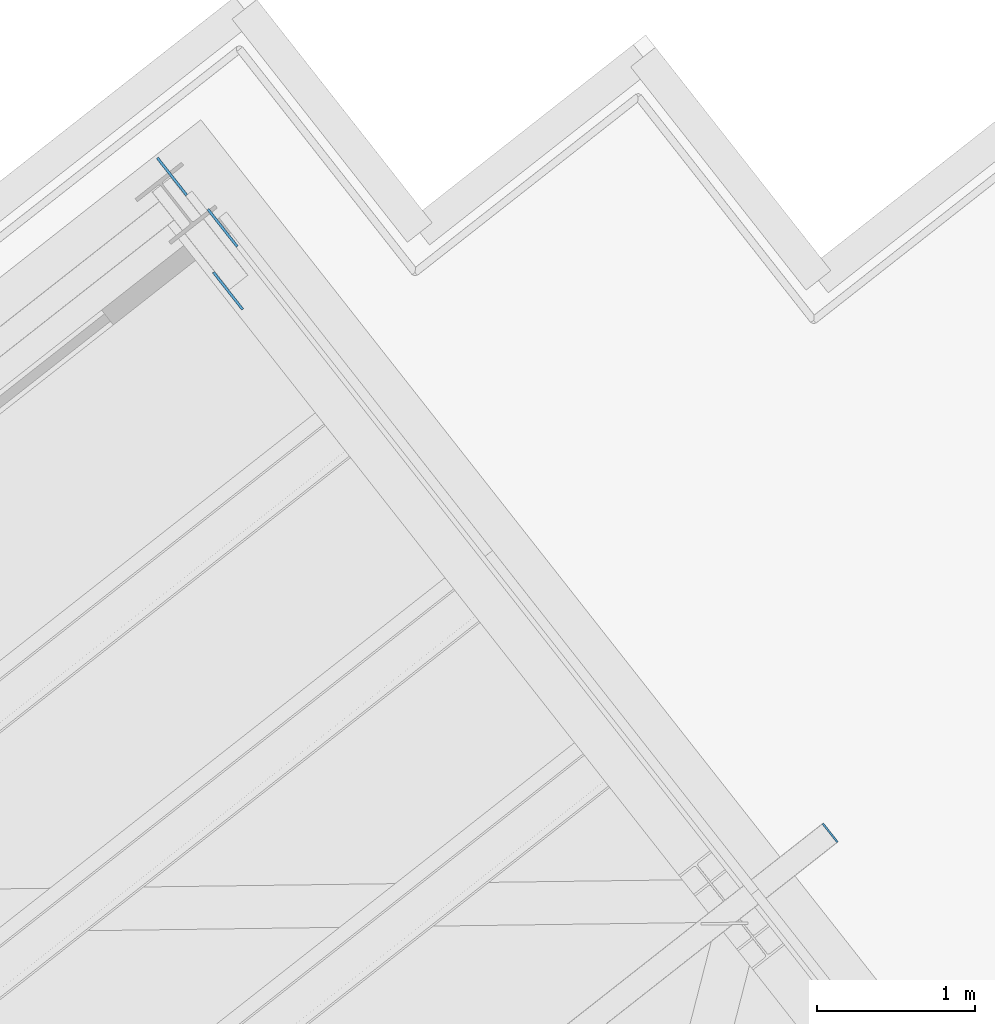
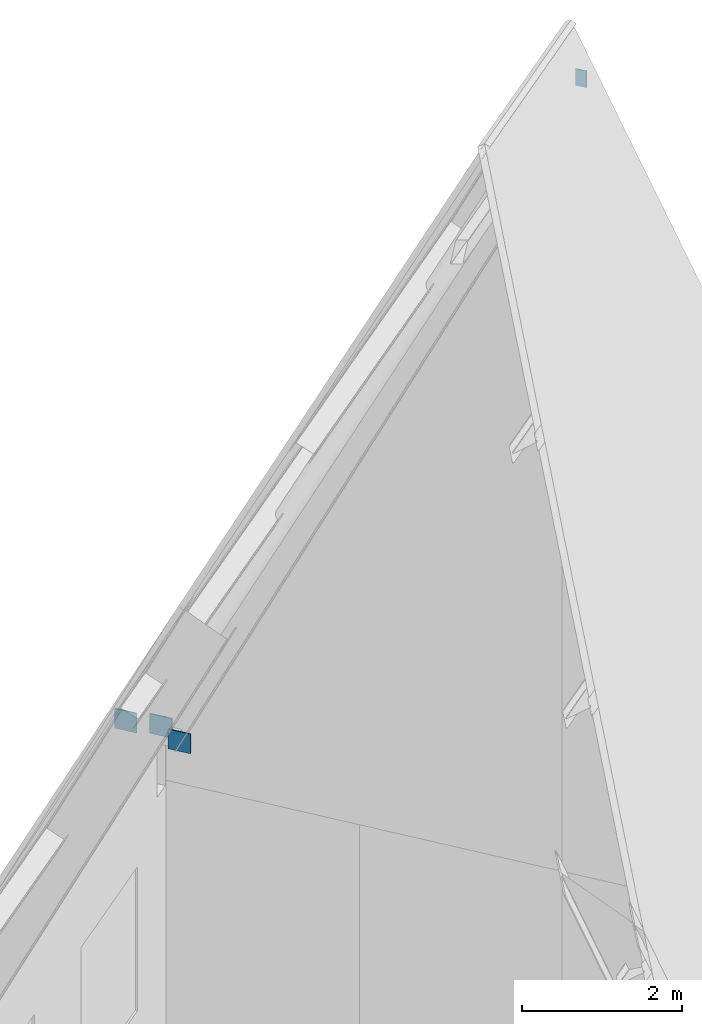
# One storey, part 29 of 32: 4 discrete accessories.
"""IFC4 building model written with IfcOpenShell, lengths in metres."""

import ifcopenshell
import ifcopenshell.guid

model = None  # the IFC model being written
_history = None  # IfcOwnerHistory: only IFC2X3 demands one
_inside = {}  # id of a spatial element -> (the spatial element, [elements in it])
_under = {}  # id of a project, library or spatial element -> (it, [spatial elements below it])
_declared = {}  # id of a project -> (the project, [libraries it declares])
_typed = {}  # id of a type object -> (the type object, [elements of that type])
_made_of = {}  # id of a material, layer set ... -> (it, [elements and type objects made of it])


def new_model(schema):
    """Start an empty IFC model of exactly this schema.

    Asked for "IFC4X3", IfcOpenShell would pick the latest addendum, in which some entities
    have other attributes; the version numbers below select the first issue.
    IFC2X3 requires an IfcOwnerHistory on every rooted entity: one is made here for all.
    """
    global model, _history
    if schema == "IFC4X3":
        model = ifcopenshell.file(schema_version=(4, 3, 0, 0))
    else:
        model = ifcopenshell.file(schema=schema)
    _inside.clear()
    _under.clear()
    _declared.clear()
    _typed.clear()
    _made_of.clear()
    _history = None
    if model.schema == "IFC2X3":
        org = make("IfcOrganization", Name="unknown")
        user = make(
            "IfcPersonAndOrganization",
            ThePerson=make("IfcPerson", FamilyName="unknown"),
            TheOrganization=org,
        )
        app = make(
            "IfcApplication",
            ApplicationDeveloper=org,
            Version="unknown",
            ApplicationFullName="unknown",
            ApplicationIdentifier="unknown",
        )
        _history = make(
            "IfcOwnerHistory",
            OwningUser=user,
            OwningApplication=app,
            ChangeAction="ADDED",
            CreationDate=0,
        )
    return model


def make(cls, **values):
    """One entity of the class cls with the attributes given. An attribute that is None is left unset."""
    return model.create_entity(
        cls, **{name: value for name, value in values.items() if value is not None}
    )


def rooted(cls, **values):
    """An entity with a GlobalId (a new one), such as an element, a storey or a relation."""
    return make(cls, GlobalId=ifcopenshell.guid.new(), OwnerHistory=_history, **values)


def si_unit(unit_type, name, prefix=None):
    """IfcSIUnit, for example si_unit("LENGTHUNIT", "METRE", prefix="MILLI")."""
    return make("IfcSIUnit", UnitType=unit_type, Prefix=prefix, Name=name)


def assignment(units):
    """IfcUnitAssignment: the units of a project."""
    return None if units is None else make("IfcUnitAssignment", Units=units)


def point(xyz):
    """IfcCartesianPoint."""
    return None if xyz is None else make("IfcCartesianPoint", Coordinates=xyz)


def direction(xyz):
    """IfcDirection."""
    return None if xyz is None else make("IfcDirection", DirectionRatios=xyz)


def frame(location, z_axis=None, x_axis=None):
    """IfcAxis2Placement3D, a coordinate frame: its origin and axes. An axis left out is left unset."""
    return make(
        "IfcAxis2Placement3D",
        Location=point(location),
        Axis=direction(z_axis),
        RefDirection=direction(x_axis),
    )


def frame_2d(location, x_axis=None):
    """IfcAxis2Placement2D, a coordinate frame in the plane: its origin and x axis."""
    return make(
        "IfcAxis2Placement2D", Location=point(location), RefDirection=direction(x_axis)
    )


def origin():
    """The frame at (0, 0, 0) with its axes left unset."""
    return frame((0.0, 0.0, 0.0))


def origin_2d():
    """The frame at (0, 0) in the plane with its x axis left unset."""
    return frame_2d((0.0, 0.0))


def place(relative_to, where):
    """IfcLocalPlacement: puts the frame where relative to a parent placement (None: the world)."""
    return make(
        "IfcLocalPlacement", PlacementRelTo=relative_to, RelativePlacement=where
    )


def context(
    kind, dimensions, precision=None, world=None, true_north=None, identifier=None
):
    """IfcGeometricRepresentationContext, for example the 3D "Model" context."""
    return make(
        "IfcGeometricRepresentationContext",
        ContextIdentifier=identifier,
        ContextType=kind,
        CoordinateSpaceDimension=dimensions,
        Precision=precision,
        WorldCoordinateSystem=world,
        TrueNorth=true_north,
    )


def subcontext(parent, identifier, kind, view, scale=None):
    """IfcGeometricRepresentationSubContext, for example "Body" below "Model"."""
    return make(
        "IfcGeometricRepresentationSubContext",
        ContextIdentifier=identifier,
        ContextType=kind,
        ParentContext=parent,
        TargetScale=scale,
        TargetView=view,
    )


def project(units=None, contexts=None):
    """IfcProject with its units and contexts."""
    return rooted(
        "IfcProject",
        Name="project",
        RepresentationContexts=contexts,
        UnitsInContext=assignment(units),
    )


def spatial(cls, under=None, at=None, **own):
    """A site, building, storey or space (cls), placed at a placement, below another one or the project."""
    s = rooted(cls, ObjectPlacement=at, **own)
    if under is not None:
        _under.setdefault(under.id(), (under, []))[1].append(s)
    return s


def profile(cls, at=None, kind="AREA", **sizes):
    """A parametric profile (cls). Its sizes go by their IFC names, for example OverallWidth=200.0."""
    return make(cls, ProfileType=kind, Position=at, **sizes)


def rectangle(**sizes):
    """IfcRectangleProfileDef."""
    return profile("IfcRectangleProfileDef", **sizes)


def extrude(swept, where, along, depth):
    """IfcExtrudedAreaSolid: the profile swept, set in the frame where, extruded along a direction by depth."""
    return make(
        "IfcExtrudedAreaSolid",
        SweptArea=swept,
        Position=where,
        ExtrudedDirection=direction(along),
        Depth=depth,
    )


def shape(context_of_items, identifier, shape_type, items):
    """IfcShapeRepresentation: the items that make up one representation, for example the "Body"."""
    return make(
        "IfcShapeRepresentation",
        ContextOfItems=context_of_items,
        RepresentationIdentifier=identifier,
        RepresentationType=shape_type,
        Items=items,
    )


def made_of(thing, what):
    """Note that an element or type object is made of a material, layer set ...; save() writes the relation."""
    if what is not None:
        _made_of.setdefault(what.id(), (what, []))[1].append(thing)
    return thing


def element(
    cls,
    number,
    at=None,
    inside=None,
    cuts=None,
    type_object=None,
    material=None,
    context=None,
    identifier="Body",
    shape_type=None,
    held_by="IfcProductDefinitionShape",
    body=None,
    shapes=None,
    **own,
):
    """One element of the class cls, such as IfcWall. Its Tag is "e" and its number.

    at: its placement. inside: the storey or other place that contains it. cuts: it is an
    opening in that element (IfcRelVoidsElement). A single representation is given by context,
    identifier, shape_type and body (its items); several are given by shapes. held_by: the class
    of the entity that holds the representations. save() writes the other relations.
    """
    e = rooted(cls, Tag="e%d" % number, ObjectPlacement=at, **own)
    if body is not None:
        shapes = [shape(context, identifier, shape_type, body)]
    if shapes is not None:
        e.Representation = make(held_by, Representations=shapes)
    if inside is not None:
        _inside.setdefault(inside.id(), (inside, []))[1].append(e)
    if cuts is not None:
        rooted(
            "IfcRelVoidsElement", RelatingBuildingElement=cuts, RelatedOpeningElement=e
        )
    if type_object is not None:
        _typed.setdefault(type_object.id(), (type_object, []))[1].append(e)
    return made_of(e, material)


def aggregate(whole, parts):
    """IfcRelAggregates: a whole, such as a stair, and the parts it consists of."""
    return rooted("IfcRelAggregates", RelatingObject=whole, RelatedObjects=parts)


def save(model, path):
    """Write the relations noted so far, then the file.

    IfcRelAggregates (storeys below a building ...), IfcRelContainedInSpatialStructure (elements
    in a storey), IfcRelDefinesByType, IfcRelAssociatesMaterial and IfcRelDeclares: one each for
    every whole, place, type object, material and project.
    """
    for whole, parts in _under.values():
        aggregate(whole, parts)
    for where, things in _inside.values():
        rooted(
            "IfcRelContainedInSpatialStructure",
            RelatedElements=things,
            RelatingStructure=where,
        )
    for kind, things in _typed.values():
        rooted("IfcRelDefinesByType", RelatedObjects=things, RelatingType=kind)
    for what, things in _made_of.values():
        rooted("IfcRelAssociatesMaterial", RelatedObjects=things, RelatingMaterial=what)
    for by, libraries in _declared.values():
        rooted("IfcRelDeclares", RelatingContext=by, RelatedDefinitions=libraries)
    model.write(path)


model = new_model("IFC4")

# Units and contexts
model_context = context("Model", 3, precision=1e-05, world=origin(), true_north=direction((0.0, 1.0)))
body_context = subcontext(model_context, "Body", "Model", "MODEL_VIEW")
ifc_project = project(units=[si_unit("LENGTHUNIT", "METRE"), si_unit("AREAUNIT", "SQUARE_METRE"), si_unit("VOLUMEUNIT", "CUBIC_METRE"), si_unit("PLANEANGLEUNIT", "RADIAN"), si_unit("MASSUNIT", "GRAM", prefix="KILO")], contexts=[model_context])

# Site, building, storey
site_placement = place(None, origin())
site = spatial("IfcSite", under=ifc_project, at=site_placement, CompositionType="ELEMENT")
building_placement = place(site_placement, origin())
building = spatial("IfcBuilding", under=site, at=building_placement, Name="Verdalira Terraces Hotel", CompositionType="ELEMENT")
storey_placement = place(building_placement, frame((0.0, 0.0, 315.0)))
storey = spatial("IfcBuildingStorey", under=building, at=storey_placement, Name="L78", CompositionType="ELEMENT", Elevation=315.0)

# Discrete accessories
discrete_accessory_placement = place(storey_placement, frame((31.442139, 24.707031, 15.5), z_axis=(0.784882766, 0.619644289, 0.0), x_axis=(-0.619644289, 0.784882766, 0.0)))
element("IfcDiscreteAccessory", 1, at=discrete_accessory_placement, inside=storey, Name="End cap plate", PredefinedType="ANCHORPLATE", context=body_context, shape_type="SweptSolid", body=[
    extrude(rectangle(XDim=0.152344, YDim=0.253906, at=origin_2d()), origin(), (0.0, 0.0, 1.0), 0.011719),
])
for number, where, z_axis, x_axis, name in (
    (2, (27.27417, 28.871826, 4.477051), (0.0, 0.0, 1.0), (0.617859613, -0.786288432, 0.0), "Connection plate"),
    (3, (27.594971, 28.545898, 4.483887), (0.0, 0.0, 1.0), (0.617859613, -0.786288432, 0.0), "Connection plate"),
    (4, (27.629395, 28.147461, 4.477051), (0.0, 0.0, 1.0), (-0.617859613, 0.786288432, 0.0), "Connection plate"),
):
    element("IfcDiscreteAccessory", number, at=place(storey_placement, frame(where, z_axis=z_axis, x_axis=x_axis)), inside=storey, Name=name, PredefinedType="BRACKET", context=body_context, shape_type="SweptSolid", body=[
        extrude(rectangle(XDim=0.300049, YDim=0.016113, at=origin_2d()), origin(), (0.0, 0.0, 1.0), 0.300049),
    ])

save(model, "model.ifc")
